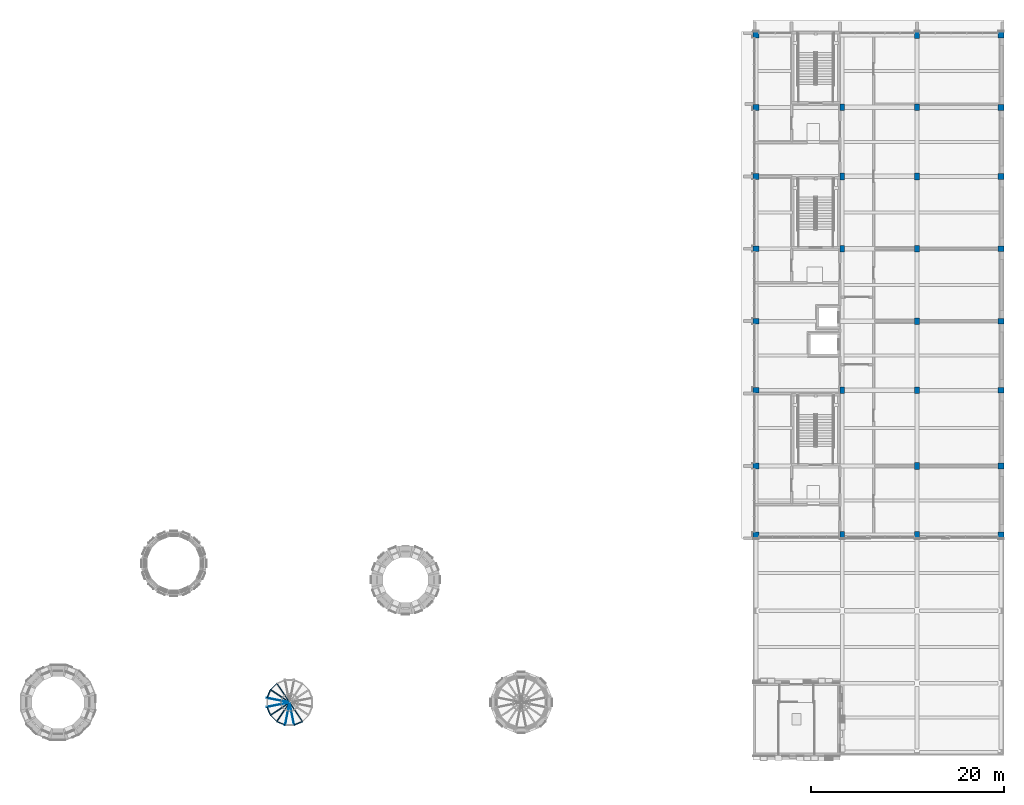
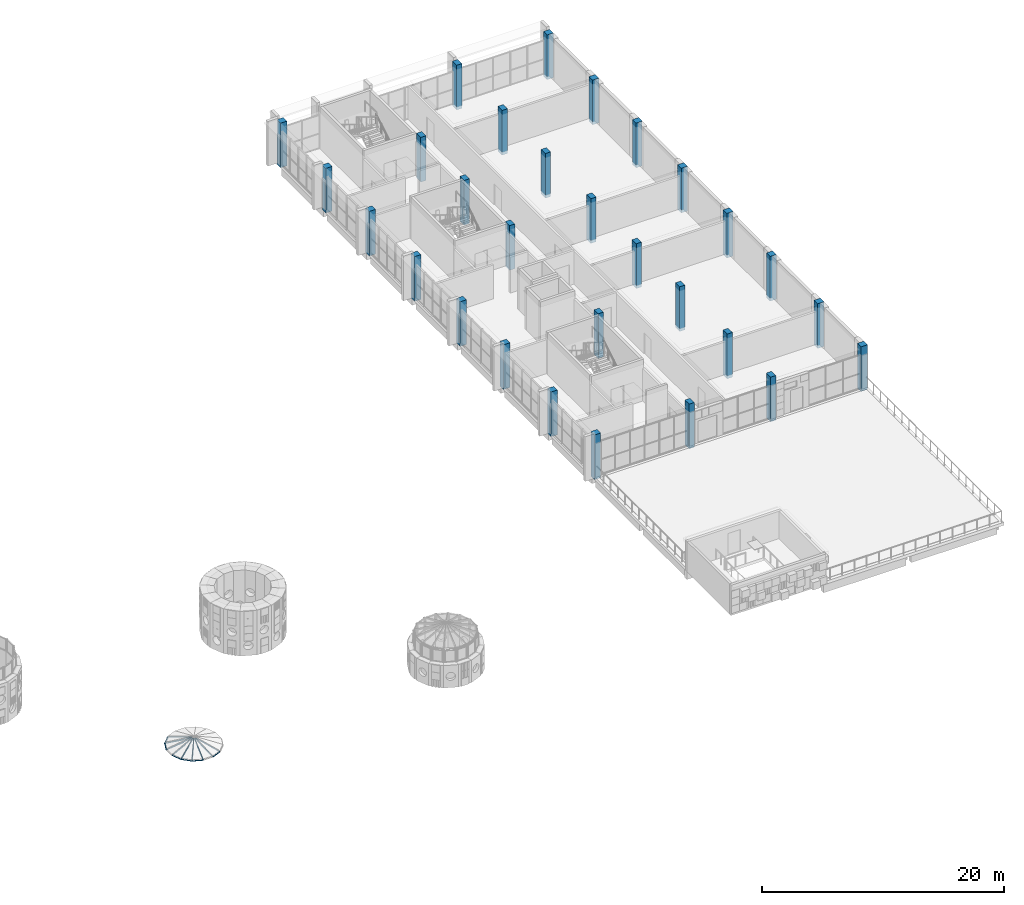
# One storey, part 1 of 42: 29 columns, 22 members.
"""IFC4 building model written with IfcOpenShell, lengths in metres."""

import ifcopenshell
import ifcopenshell.guid

model = None  # the IFC model being written
_history = None  # IfcOwnerHistory: only IFC2X3 demands one
_inside = {}  # id of a spatial element -> (the spatial element, [elements in it])
_under = {}  # id of a project, library or spatial element -> (it, [spatial elements below it])
_declared = {}  # id of a project -> (the project, [libraries it declares])
_typed = {}  # id of a type object -> (the type object, [elements of that type])
_made_of = {}  # id of a material, layer set ... -> (it, [elements and type objects made of it])


def new_model(schema):
    """Start an empty IFC model of exactly this schema.

    Asked for "IFC4X3", IfcOpenShell would pick the latest addendum, in which some entities
    have other attributes; the version numbers below select the first issue.
    IFC2X3 requires an IfcOwnerHistory on every rooted entity: one is made here for all.
    """
    global model, _history
    if schema == "IFC4X3":
        model = ifcopenshell.file(schema_version=(4, 3, 0, 0))
    else:
        model = ifcopenshell.file(schema=schema)
    _inside.clear()
    _under.clear()
    _declared.clear()
    _typed.clear()
    _made_of.clear()
    _history = None
    if model.schema == "IFC2X3":
        org = make("IfcOrganization", Name="unknown")
        user = make(
            "IfcPersonAndOrganization",
            ThePerson=make("IfcPerson", FamilyName="unknown"),
            TheOrganization=org,
        )
        app = make(
            "IfcApplication",
            ApplicationDeveloper=org,
            Version="unknown",
            ApplicationFullName="unknown",
            ApplicationIdentifier="unknown",
        )
        _history = make(
            "IfcOwnerHistory",
            OwningUser=user,
            OwningApplication=app,
            ChangeAction="ADDED",
            CreationDate=0,
        )
    return model


def make(cls, **values):
    """One entity of the class cls with the attributes given. An attribute that is None is left unset."""
    return model.create_entity(
        cls, **{name: value for name, value in values.items() if value is not None}
    )


def rooted(cls, **values):
    """An entity with a GlobalId (a new one), such as an element, a storey or a relation."""
    return make(cls, GlobalId=ifcopenshell.guid.new(), OwnerHistory=_history, **values)


def si_unit(unit_type, name, prefix=None):
    """IfcSIUnit, for example si_unit("LENGTHUNIT", "METRE", prefix="MILLI")."""
    return make("IfcSIUnit", UnitType=unit_type, Prefix=prefix, Name=name)


def assignment(units):
    """IfcUnitAssignment: the units of a project."""
    return None if units is None else make("IfcUnitAssignment", Units=units)


def point(xyz):
    """IfcCartesianPoint."""
    return None if xyz is None else make("IfcCartesianPoint", Coordinates=xyz)


def direction(xyz):
    """IfcDirection."""
    return None if xyz is None else make("IfcDirection", DirectionRatios=xyz)


def frame(location, z_axis=None, x_axis=None):
    """IfcAxis2Placement3D, a coordinate frame: its origin and axes. An axis left out is left unset."""
    return make(
        "IfcAxis2Placement3D",
        Location=point(location),
        Axis=direction(z_axis),
        RefDirection=direction(x_axis),
    )


def frame_2d(location, x_axis=None):
    """IfcAxis2Placement2D, a coordinate frame in the plane: its origin and x axis."""
    return make(
        "IfcAxis2Placement2D", Location=point(location), RefDirection=direction(x_axis)
    )


def origin():
    """The frame at (0, 0, 0) with its axes left unset."""
    return frame((0.0, 0.0, 0.0))


def origin_2d():
    """The frame at (0, 0) in the plane with its x axis left unset."""
    return frame_2d((0.0, 0.0))


def place(relative_to, where):
    """IfcLocalPlacement: puts the frame where relative to a parent placement (None: the world)."""
    return make(
        "IfcLocalPlacement", PlacementRelTo=relative_to, RelativePlacement=where
    )


def context(
    kind, dimensions, precision=None, world=None, true_north=None, identifier=None
):
    """IfcGeometricRepresentationContext, for example the 3D "Model" context."""
    return make(
        "IfcGeometricRepresentationContext",
        ContextIdentifier=identifier,
        ContextType=kind,
        CoordinateSpaceDimension=dimensions,
        Precision=precision,
        WorldCoordinateSystem=world,
        TrueNorth=true_north,
    )


def subcontext(parent, identifier, kind, view, scale=None):
    """IfcGeometricRepresentationSubContext, for example "Body" below "Model"."""
    return make(
        "IfcGeometricRepresentationSubContext",
        ContextIdentifier=identifier,
        ContextType=kind,
        ParentContext=parent,
        TargetScale=scale,
        TargetView=view,
    )


def project(units=None, contexts=None):
    """IfcProject with its units and contexts."""
    return rooted(
        "IfcProject",
        Name="project",
        RepresentationContexts=contexts,
        UnitsInContext=assignment(units),
    )


def spatial(cls, under=None, at=None, **own):
    """A site, building, storey or space (cls), placed at a placement, below another one or the project."""
    s = rooted(cls, ObjectPlacement=at, **own)
    if under is not None:
        _under.setdefault(under.id(), (under, []))[1].append(s)
    return s


def profile(cls, at=None, kind="AREA", **sizes):
    """A parametric profile (cls). Its sizes go by their IFC names, for example OverallWidth=200.0."""
    return make(cls, ProfileType=kind, Position=at, **sizes)


def rectangle(**sizes):
    """IfcRectangleProfileDef."""
    return profile("IfcRectangleProfileDef", **sizes)


def hollow_rectangle(**sizes):
    """IfcRectangleHollowProfileDef."""
    return profile("IfcRectangleHollowProfileDef", **sizes)


def hollow_circle(**sizes):
    """IfcCircleHollowProfileDef."""
    return profile("IfcCircleHollowProfileDef", **sizes)


def extrude(swept, where, along, depth):
    """IfcExtrudedAreaSolid: the profile swept, set in the frame where, extruded along a direction by depth."""
    return make(
        "IfcExtrudedAreaSolid",
        SweptArea=swept,
        Position=where,
        ExtrudedDirection=direction(along),
        Depth=depth,
    )


def shape(context_of_items, identifier, shape_type, items):
    """IfcShapeRepresentation: the items that make up one representation, for example the "Body"."""
    return make(
        "IfcShapeRepresentation",
        ContextOfItems=context_of_items,
        RepresentationIdentifier=identifier,
        RepresentationType=shape_type,
        Items=items,
    )


def material(Name=None, Category=None):
    """IfcMaterial."""
    return make("IfcMaterial", Name=Name, Category=Category)


def material_profile(
    of_material, cross_section, Name=None, Category=None, Priority=None
):
    """IfcMaterialProfile: a cross section and its material."""
    return make(
        "IfcMaterialProfile",
        Name=Name,
        Material=of_material,
        Profile=cross_section,
        Priority=Priority,
        Category=Category,
    )


def profile_set(profiles, Name=None, composite=None):
    """IfcMaterialProfileSet."""
    return make(
        "IfcMaterialProfileSet",
        Name=Name,
        MaterialProfiles=profiles,
        CompositeProfile=composite,
    )


def made_of(thing, what):
    """Note that an element or type object is made of a material, layer set ...; save() writes the relation."""
    if what is not None:
        _made_of.setdefault(what.id(), (what, []))[1].append(thing)
    return thing


def type_object(cls, material=None, **own):
    """A type object (cls), such as IfcWallType, which elements share."""
    return made_of(rooted(cls, **own), material)


def element(
    cls,
    number,
    at=None,
    inside=None,
    cuts=None,
    type_object=None,
    material=None,
    context=None,
    identifier="Body",
    shape_type=None,
    held_by="IfcProductDefinitionShape",
    body=None,
    shapes=None,
    **own,
):
    """One element of the class cls, such as IfcWall. Its Tag is "e" and its number.

    at: its placement. inside: the storey or other place that contains it. cuts: it is an
    opening in that element (IfcRelVoidsElement). A single representation is given by context,
    identifier, shape_type and body (its items); several are given by shapes. held_by: the class
    of the entity that holds the representations. save() writes the other relations.
    """
    e = rooted(cls, Tag="e%d" % number, ObjectPlacement=at, **own)
    if body is not None:
        shapes = [shape(context, identifier, shape_type, body)]
    if shapes is not None:
        e.Representation = make(held_by, Representations=shapes)
    if inside is not None:
        _inside.setdefault(inside.id(), (inside, []))[1].append(e)
    if cuts is not None:
        rooted(
            "IfcRelVoidsElement", RelatingBuildingElement=cuts, RelatedOpeningElement=e
        )
    if type_object is not None:
        _typed.setdefault(type_object.id(), (type_object, []))[1].append(e)
    return made_of(e, material)


def aggregate(whole, parts):
    """IfcRelAggregates: a whole, such as a stair, and the parts it consists of."""
    return rooted("IfcRelAggregates", RelatingObject=whole, RelatedObjects=parts)


def save(model, path):
    """Write the relations noted so far, then the file.

    IfcRelAggregates (storeys below a building ...), IfcRelContainedInSpatialStructure (elements
    in a storey), IfcRelDefinesByType, IfcRelAssociatesMaterial and IfcRelDeclares: one each for
    every whole, place, type object, material and project.
    """
    for whole, parts in _under.values():
        aggregate(whole, parts)
    for where, things in _inside.values():
        rooted(
            "IfcRelContainedInSpatialStructure",
            RelatedElements=things,
            RelatingStructure=where,
        )
    for kind, things in _typed.values():
        rooted("IfcRelDefinesByType", RelatedObjects=things, RelatingType=kind)
    for what, things in _made_of.values():
        rooted("IfcRelAssociatesMaterial", RelatedObjects=things, RelatingMaterial=what)
    for by, libraries in _declared.values():
        rooted("IfcRelDeclares", RelatingContext=by, RelatedDefinitions=libraries)
    model.write(path)


model = new_model("IFC4")

# Units and contexts
model_context = context("Model", 3, precision=1e-05, world=origin(), true_north=direction((0.0, 1.0)))
body_context = subcontext(model_context, "Body", "Model", "MODEL_VIEW")
ifc_project = project(units=[si_unit("LENGTHUNIT", "METRE"), si_unit("AREAUNIT", "SQUARE_METRE"), si_unit("VOLUMEUNIT", "CUBIC_METRE"), si_unit("PLANEANGLEUNIT", "RADIAN"), si_unit("MASSUNIT", "GRAM", prefix="KILO")], contexts=[model_context])

# Site, building, storey
site_placement = place(None, origin())
site = spatial("IfcSite", under=ifc_project, at=site_placement, CompositionType="ELEMENT")
building_placement = place(site_placement, origin())
building = spatial("IfcBuilding", under=site, at=building_placement, Name="Sun Court Science Centre", CompositionType="ELEMENT")
storey_placement = place(building_placement, frame((0.0, 0.0, 20.25)))
storey = spatial("IfcBuildingStorey", under=building, at=storey_placement, Name="L04", CompositionType="ELEMENT", Elevation=20.25)

# Columns
ifc_material_1 = material(Name="Concrete C30/37", Category="concrete")
ifc_material_profile_1 = material_profile(ifc_material_1, rectangle(XDim=0.5, YDim=0.699951171875, at=origin_2d()), Name="RC 500x700")
ifc_profile_set_1 = profile_set([ifc_material_profile_1], Name="Concrete C30/37")
column_type_1 = type_object("IfcColumnType", Name="RC column 500x700", PredefinedType="COLUMN", material=ifc_profile_set_1)
for number, where, z_axis, x_axis, name in (
    (1, (87.25, 28.85009765625, -0.300048828125), (0.0, 0.0, 1.0), (1.0, 0.0, 0.0), "Column 14F L04"),
    (2, (87.25, 43.85009765625, -0.300048828125), (0.0, 0.0, 1.0), (1.0, 0.0, 0.0), "Column 14J L04"),
    (3, (87.25, 58.5, -0.300048828125), (0.0, 0.0, 1.0), (1.0, 0.0, 0.0), "Column 14P L04"),
    (4, (87.25, 66.0, -0.300048828125), (0.0, 0.0, 1.0), (1.0, 0.0, 0.0), "Column 14R L04"),
    (5, (87.25, 73.14990234375, -0.300048828125), (0.0, 0.0, 1.0), (1.0, 0.0, 0.0), "Column 14U L04"),
    (6, (95.0, 28.85009765625, -0.300048828125), (0.0, 0.0, 1.0), (1.0, 0.0, 0.0), "Column 15F L04"),
    (7, (95.0, 36.0, -0.300048828125), (0.0, 0.0, 1.0), (1.0, 0.0, 0.0), "Column 15G L04"),
    (8, (95.0, 43.85009765625, -0.300048828125), (0.0, 0.0, 1.0), (1.0, 0.0, 0.0), "Column 15J L04"),
    (9, (95.0, 51.0, -0.300048828125), (0.0, 0.0, 1.0), (1.0, 0.0, 0.0), "Column 15M L04"),
    (10, (95.0, 58.5, -0.300048828125), (0.0, 0.0, 1.0), (1.0, 0.0, 0.0), "Column 15P L04"),
    (11, (95.0, 66.0, -0.300048828125), (0.0, 0.0, 1.0), (1.0, 0.0, 0.0), "Column 15R L04"),
    (12, (95.0, 73.14990234375, -0.300048828125), (0.0, 0.0, 1.0), (1.0, 0.0, 0.0), "Column 15U L04"),
    (13, (95.0, 80.64990234375, -0.300048828125), (0.0, 0.0, 1.0), (1.0, 0.0, 0.0), "Column 15V L04"),
):
    element("IfcColumn", number, at=place(storey_placement, frame(where, z_axis=z_axis, x_axis=x_axis)), inside=storey, type_object=column_type_1, Name=name, PredefinedType="COLUMN", context=body_context, shape_type="SweptSolid", body=[
        extrude(rectangle(XDim=0.5, YDim=0.699951171875, at=origin_2d()), origin(), (0.0, 0.0, 1.0), 4.5),
    ])
ifc_material_2 = material(Name="Concrete C30/37", Category="concrete")
ifc_material_profile_2 = material_profile(ifc_material_2, rectangle(XDim=0.60009765625, YDim=0.60009765625, at=origin_2d()), Name="RC 600x600")
ifc_profile_set_2 = profile_set([ifc_material_profile_2], Name="Concrete C30/37")
column_type_2 = type_object("IfcColumnType", Name="RC column 600x600", PredefinedType="COLUMN", material=ifc_profile_set_2)
for number, where, z_axis, x_axis, name in (
    (14, (78.300048828125, 28.85009765625, -0.300048828125), (0.0, 0.0, 1.0), (1.0, 0.0, 0.0), "Column 12F L04"),
    (15, (78.300048828125, 36.0, -0.300048828125), (0.0, 0.0, 1.0), (1.0, 0.0, 0.0), "Column 12G L04"),
    (16, (78.300048828125, 43.85009765625, -0.300048828125), (0.0, 0.0, 1.0), (1.0, 0.0, 0.0), "Column 12J L04"),
    (17, (78.300048828125, 51.0, -0.300048828125), (0.0, 0.0, 1.0), (1.0, 0.0, 0.0), "Column 12M L04"),
    (18, (78.300048828125, 58.5, -0.300048828125), (0.0, 0.0, 1.0), (1.0, 0.0, 0.0), "Column 12P L04"),
    (19, (78.300048828125, 66.0, -0.300048828125), (0.0, 0.0, 1.0), (1.0, 0.0, 0.0), "Column 12R L04"),
    (20, (78.300048828125, 73.14990234375, -0.300048828125), (0.0, 0.0, 1.0), (1.0, 0.0, 0.0), "Column 12U L04"),
    (21, (78.300048828125, 80.64990234375, -0.300048828125), (0.0, 0.0, 1.0), (1.0, 0.0, 0.0), "Column 12V L04"),
    (22, (103.699951171875, 28.85009765625, -0.300048828125), (0.0, 0.0, 1.0), (1.0, 0.0, 0.0), "Column 16F L04"),
    (23, (103.699951171875, 36.0, -0.300048828125), (0.0, 0.0, 1.0), (1.0, 0.0, 0.0), "Column 16G L04"),
    (24, (103.699951171875, 43.85009765625, -0.300048828125), (0.0, 0.0, 1.0), (1.0, 0.0, 0.0), "Column 16J L04"),
    (25, (103.699951171875, 51.0, -0.300048828125), (0.0, 0.0, 1.0), (1.0, 0.0, 0.0), "Column 16M L04"),
    (26, (103.699951171875, 58.5, -0.300048828125), (0.0, 0.0, 1.0), (1.0, 0.0, 0.0), "Column 16P L04"),
    (27, (103.699951171875, 66.0, -0.300048828125), (0.0, 0.0, 1.0), (1.0, 0.0, 0.0), "Column 16R L04"),
    (28, (103.699951171875, 73.14990234375, -0.300048828125), (0.0, 0.0, 1.0), (1.0, 0.0, 0.0), "Column 16U L04"),
    (29, (103.699951171875, 80.64990234375, -0.300048828125), (0.0, 0.0, 1.0), (1.0, 0.0, 0.0), "Column 16V L04"),
):
    element("IfcColumn", number, at=place(storey_placement, frame(where, z_axis=z_axis, x_axis=x_axis)), inside=storey, type_object=column_type_2, Name=name, PredefinedType="COLUMN", context=body_context, shape_type="SweptSolid", body=[
        extrude(rectangle(XDim=0.60009765625, YDim=0.60009765625, at=origin_2d()), origin(), (0.0, 0.0, 1.0), 4.5),
    ])

# Members
ifc_material_3 = material(Name="Aluminium EN AW-6063 T6", Category="aluminium")
ifc_material_profile_3 = material_profile(ifc_material_3, hollow_rectangle(XDim=0.050048828125, YDim=0.080078125, WallThickness=0.00390625, InnerFilletRadius=0.00390625, OuterFilletRadius=0.006103515625, at=origin_2d()), Name="AL 50x80x4")
ifc_profile_set_3 = profile_set([ifc_material_profile_3], Name="Aluminium EN AW-6063 T6")
member_type_1 = type_object("IfcMemberType", Name="Glazing bar AL 50x80", PredefinedType="USERDEFINED", material=ifc_profile_set_3)
for number, where, z_axis, x_axis, name in (
    (30, (28.673095703125, 13.48583984375, 0.199951171875), (0.530808793262, -0.794337540447, 0.295414787769), (0.831445717229, 0.555605992859, 0.0), "Lantern glazing bar cone 3 06"),
    (31, (28.01416015625, 12.826904296875, 0.199951171875), (0.794337540447, -0.530808793262, 0.295414787769), (0.555605992859, 0.831445717229, 0.0), "Lantern glazing bar cone 3 07"),
):
    element("IfcMember", number, at=place(storey_placement, frame(where, z_axis=z_axis, x_axis=x_axis)), inside=storey, type_object=member_type_1, Name=name, ObjectType="Glazing bar", PredefinedType="USERDEFINED", context=body_context, shape_type="SweptSolid", body=[
        extrude(hollow_rectangle(XDim=0.050048828125, YDim=0.080078125, WallThickness=0.00390625, InnerFilletRadius=0.00390625, OuterFilletRadius=0.006103515625, at=origin_2d()), origin(), (0.0, 0.0, 1.0), 2.343017578125),
    ])
for number, where, z_axis, x_axis, name in (
    (32, (27.65771484375, 11.9658203125, 0.199951171875), (0.937008691916, -0.186338732193, 0.295453191145), (0.195046134473, 0.980794068817, 0.0), "Lantern glazing bar cone 3 08"),
    (33, (27.65771484375, 11.0341796875, 0.199951171875), (0.937008691916, 0.186338732193, 0.295453191145), (-0.195046134473, 0.980794068817, 0.0), "Lantern glazing bar cone 3 09"),
):
    element("IfcMember", number, at=place(storey_placement, frame(where, z_axis=z_axis, x_axis=x_axis)), inside=storey, type_object=member_type_1, Name=name, ObjectType="Glazing bar", PredefinedType="USERDEFINED", context=body_context, shape_type="SweptSolid", body=[
        extrude(hollow_rectangle(XDim=0.050048828125, YDim=0.080078125, WallThickness=0.00390625, InnerFilletRadius=0.00390625, OuterFilletRadius=0.006103515625, at=origin_2d()), origin(), (0.0, 0.0, 1.0), 2.342529296875),
    ])
for number, where, z_axis, x_axis, name in (
    (34, (28.01416015625, 10.173095703125, 0.199951171875), (0.794337540447, 0.530808793262, 0.295414787769), (-0.555605992859, 0.831445717229, 0.0), "Lantern glazing bar cone 3 10"),
    (35, (28.673095703125, 9.51416015625, 0.199951171875), (0.530808793262, 0.794337540447, 0.295414787769), (-0.831445717229, 0.555605992859, 0.0), "Lantern glazing bar cone 3 11"),
):
    element("IfcMember", number, at=place(storey_placement, frame(where, z_axis=z_axis, x_axis=x_axis)), inside=storey, type_object=member_type_1, Name=name, ObjectType="Glazing bar", PredefinedType="USERDEFINED", context=body_context, shape_type="SweptSolid", body=[
        extrude(hollow_rectangle(XDim=0.050048828125, YDim=0.080078125, WallThickness=0.00390625, InnerFilletRadius=0.00390625, OuterFilletRadius=0.006103515625, at=origin_2d()), origin(), (0.0, 0.0, 1.0), 2.343017578125),
    ])
for number, where, z_axis, x_axis, name in (
    (36, (29.5341796875, 9.15771484375, 0.199951171875), (0.186338732193, 0.937008691916, 0.295453191145), (-0.980794068817, 0.195046134473, 0.0), "Lantern glazing bar cone 3 12"),
    (37, (30.4658203125, 9.15771484375, 0.199951171875), (-0.186338732193, 0.937008691916, 0.295453191145), (-0.980794068817, -0.195046134473, 0.0), "Lantern glazing bar cone 3 13"),
):
    element("IfcMember", number, at=place(storey_placement, frame(where, z_axis=z_axis, x_axis=x_axis)), inside=storey, type_object=member_type_1, Name=name, ObjectType="Glazing bar", PredefinedType="USERDEFINED", context=body_context, shape_type="SweptSolid", body=[
        extrude(hollow_rectangle(XDim=0.050048828125, YDim=0.080078125, WallThickness=0.00390625, InnerFilletRadius=0.00390625, OuterFilletRadius=0.006103515625, at=origin_2d()), origin(), (0.0, 0.0, 1.0), 2.342529296875),
    ])
member_1_placement = place(storey_placement, frame((31.326904296875, 9.51416015625, 0.199951171875), z_axis=(-0.530808793262, 0.794337540447, 0.295414787769), x_axis=(-0.831445717229, -0.555605992859, 0.0)))
element("IfcMember", 38, at=member_1_placement, inside=storey, type_object=member_type_1, Name="Lantern glazing bar cone 3 14", ObjectType="Glazing bar", PredefinedType="USERDEFINED", context=body_context, shape_type="SweptSolid", body=[
    extrude(hollow_rectangle(XDim=0.050048828125, YDim=0.080078125, WallThickness=0.00390625, InnerFilletRadius=0.00390625, OuterFilletRadius=0.006103515625, at=origin_2d()), origin(), (0.0, 0.0, 1.0), 2.343017578125),
])
ifc_material_4 = material(Name="Steel S355", Category="steel")
ifc_material_profile_4 = material_profile(ifc_material_4, hollow_circle(Radius=0.04443359375, WallThickness=0.0048828125, at=origin_2d()), Name="CHS 88.9x5")
ifc_profile_set_4 = profile_set([ifc_material_profile_4], Name="Steel S355")
member_type_2 = type_object("IfcMemberType", Name="Lantern base ring CHS 88.9x5", PredefinedType="CHORD", material=ifc_profile_set_4)
for number, where, z_axis, x_axis, name in (
    (39, (28.673095703125, 13.48583984375, 0.1943359375), (-0.707106781187, -0.707106781187, 0.0), (0.707106781187, -0.707106781187, 0.0), "Cone 3 lantern base ring 6"),
    (40, (28.01416015625, 12.826904296875, 0.1943359375), (-0.382475194149, -0.923965760113, 0.0), (0.923965760113, -0.382475194149, 0.0), "Cone 3 lantern base ring 7"),
    (41, (27.65771484375, 11.0341796875, 0.1943359375), (0.382475194149, -0.923965760113, 0.0), (0.923965760113, 0.382475194149, 0.0), "Cone 3 lantern base ring 9"),
    (42, (28.01416015625, 10.173095703125, 0.1943359375), (0.707106781187, -0.707106781187, 0.0), (0.707106781187, 0.707106781187, 0.0), "Cone 3 lantern base ring 10"),
    (43, (28.673095703125, 9.51416015625, 0.1943359375), (0.923965760113, -0.382475194149, 0.0), (0.382475194149, 0.923965760113, 0.0), "Cone 3 lantern base ring 11"),
    (44, (30.4658203125, 9.15771484375, 0.1943359375), (0.923965760113, 0.382475194149, 0.0), (-0.382475194149, 0.923965760113, 0.0), "Cone 3 lantern base ring 13"),
):
    element("IfcMember", number, at=place(storey_placement, frame(where, z_axis=z_axis, x_axis=x_axis)), inside=storey, type_object=member_type_2, Name=name, PredefinedType="CHORD", context=body_context, shape_type="SweptSolid", body=[
        extrude(hollow_circle(Radius=0.04443359375, WallThickness=0.0048828125, at=origin_2d()), origin(), (0.0, 0.0, 1.0), 0.931884765625),
    ])
ifc_material_5 = material(Name="Steel S355", Category="steel")
ifc_material_profile_5 = material_profile(ifc_material_5, hollow_circle(Radius=0.04443359375, WallThickness=0.0048828125, at=origin_2d()), Name="CHS 88.9x5")
ifc_profile_set_5 = profile_set([ifc_material_profile_5], Name="Steel S355")
member_type_3 = type_object("IfcMemberType", Name="Lantern rafter CHS 88.9x5", PredefinedType="RAFTER", material=ifc_profile_set_5)
member_2_placement = place(storey_placement, frame((28.01416015625, 12.826904296875, 0.1943359375), z_axis=(0.80081148443, -0.535085519385, 0.269043590054), x_axis=(0.555570514751, 0.831469424055, 0.0)))
element("IfcMember", 45, at=member_2_placement, inside=storey, type_object=member_type_3, Name="Cone 3 lantern rafter 7", PredefinedType="RAFTER", context=body_context, shape_type="SweptSolid", body=[
    extrude(hollow_circle(Radius=0.04443359375, WallThickness=0.0048828125, at=origin_2d()), origin(), (0.0, 0.0, 1.0), 1.54541015625),
])
for number, where, z_axis, x_axis, name in (
    (46, (27.65771484375, 11.9658203125, 0.1943359375), (0.944609710644, -0.1878790475, 0.269098417067), (0.195074834582, 0.980788360918, 0.0), "Cone 3 lantern rafter 8"),
    (47, (27.65771484375, 11.0341796875, 0.1943359375), (0.944609710644, 0.1878790475, 0.269098417067), (-0.195074834582, 0.980788360918, 0.0), "Cone 3 lantern rafter 9"),
):
    element("IfcMember", number, at=place(storey_placement, frame(where, z_axis=z_axis, x_axis=x_axis)), inside=storey, type_object=member_type_3, Name=name, PredefinedType="RAFTER", context=body_context, shape_type="SweptSolid", body=[
        extrude(hollow_circle(Radius=0.04443359375, WallThickness=0.0048828125, at=origin_2d()), origin(), (0.0, 0.0, 1.0), 1.545166015625),
    ])
for number, where, z_axis, x_axis, name in (
    (48, (28.01416015625, 10.173095703125, 0.1943359375), (0.80081148443, 0.535085519385, 0.269043590054), (-0.555570514751, 0.831469424055, 0.0), "Cone 3 lantern rafter 10"),
    (49, (28.673095703125, 9.51416015625, 0.1943359375), (0.535085519385, 0.80081148443, 0.269043590054), (-0.831469424055, 0.555570514751, 0.0), "Cone 3 lantern rafter 11"),
):
    element("IfcMember", number, at=place(storey_placement, frame(where, z_axis=z_axis, x_axis=x_axis)), inside=storey, type_object=member_type_3, Name=name, PredefinedType="RAFTER", context=body_context, shape_type="SweptSolid", body=[
        extrude(hollow_circle(Radius=0.04443359375, WallThickness=0.0048828125, at=origin_2d()), origin(), (0.0, 0.0, 1.0), 1.54541015625),
    ])
for number, where, z_axis, x_axis, name in (
    (50, (29.5341796875, 9.15771484375, 0.1943359375), (0.1878790475, 0.944609710644, 0.269098417067), (-0.980788360918, 0.195074834582, 0.0), "Cone 3 lantern rafter 12"),
    (51, (30.4658203125, 9.15771484375, 0.1943359375), (-0.1878790475, 0.944609710644, 0.269098417067), (-0.980788360918, -0.195074834582, 0.0), "Cone 3 lantern rafter 13"),
):
    element("IfcMember", number, at=place(storey_placement, frame(where, z_axis=z_axis, x_axis=x_axis)), inside=storey, type_object=member_type_3, Name=name, PredefinedType="RAFTER", context=body_context, shape_type="SweptSolid", body=[
        extrude(hollow_circle(Radius=0.04443359375, WallThickness=0.0048828125, at=origin_2d()), origin(), (0.0, 0.0, 1.0), 1.545166015625),
    ])

save(model, "model.ifc")
